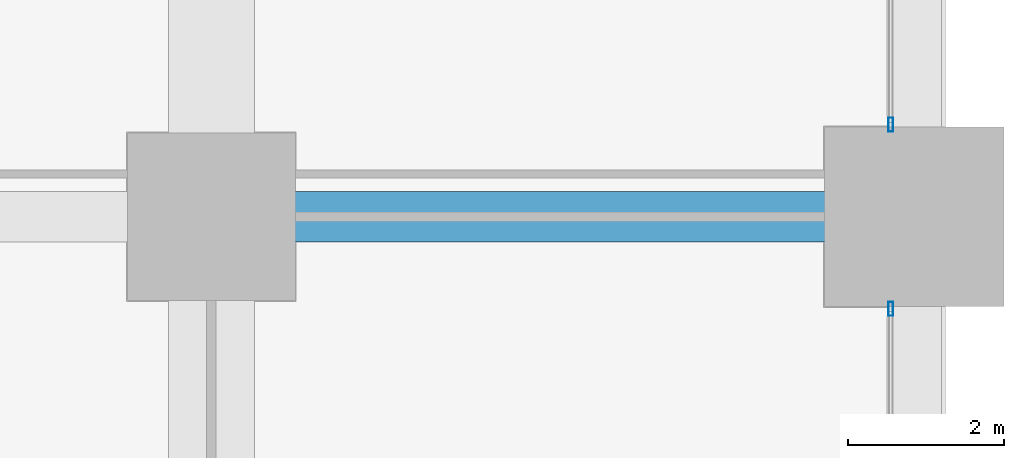
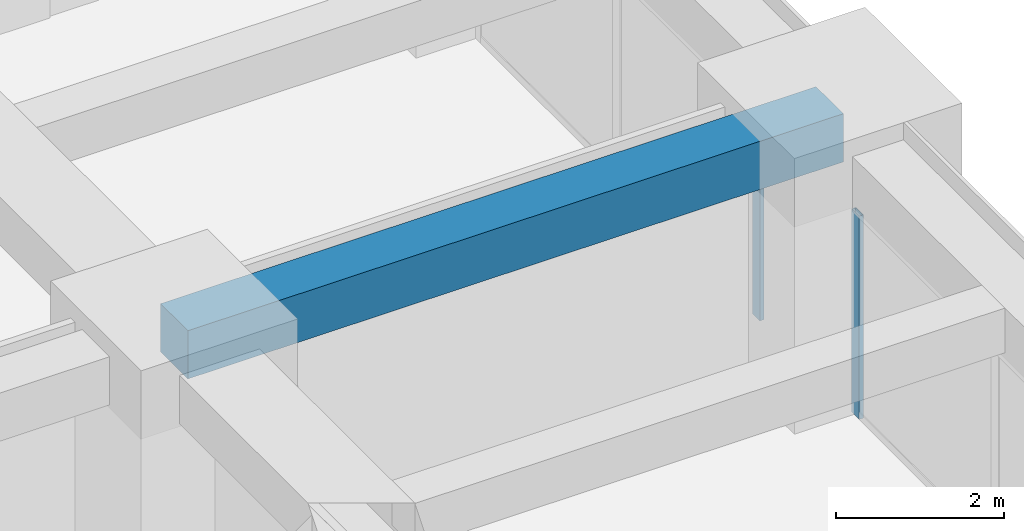
# One storey, part 32 of 44: 2 members, 1 beam, 2 elements without a shape of their own.
"""IFC4 building model written with IfcOpenShell, lengths in metres."""

from ifc_helpers import new_model, si_unit, direction, frame, origin, origin_2d, place, context, subcontext, project, spatial, rectangle, hollow_rectangle, extrude, material, material_profile, profile_set, type_object, element, aggregate, save


model = new_model("IFC4")

# Units and contexts
model_context = context("Model", 3, precision=1e-05, world=origin(), true_north=direction((0.0, 1.0)))
body_context = subcontext(model_context, "Body", "Model", "MODEL_VIEW")
ifc_project = project(units=[si_unit("LENGTHUNIT", "METRE"), si_unit("AREAUNIT", "SQUARE_METRE"), si_unit("VOLUMEUNIT", "CUBIC_METRE"), si_unit("PLANEANGLEUNIT", "RADIAN"), si_unit("MASSUNIT", "GRAM", prefix="KILO")], contexts=[model_context])

# Site, building, storey
site_placement = place(None, origin())
site = spatial("IfcSite", under=ifc_project, at=site_placement, CompositionType="ELEMENT")
building_placement = place(site_placement, origin())
building = spatial("IfcBuilding", under=site, at=building_placement, Name="Zorevar Civic Tower", CompositionType="ELEMENT")
storey_placement = place(building_placement, frame((0.0, 0.0, 59.800048828125)))
storey = spatial("IfcBuildingStorey", under=building, at=storey_placement, Name="L14", CompositionType="ELEMENT", Elevation=59.800048828125)

# Beam
ifc_material_1 = material(Name="Concrete C50/60", Category="concrete")
ifc_material_profile_1 = material_profile(ifc_material_1, rectangle(XDim=0.64990234375, YDim=0.699951171875, at=origin_2d()), Name="RC 650x700")
ifc_profile_set_1 = profile_set([ifc_material_profile_1], Name="Concrete C50/60")
beam_type = type_object("IfcBeamType", Name="Beam RC 650x700", PredefinedType="BEAM", material=ifc_profile_set_1)
beam_placement = place(storey_placement, frame((54.0, 36.0, 3.39990234375), z_axis=(1.0, 0.0, 0.0), x_axis=(0.0, 1.0, 0.0)))
element("IfcBeam", 1, at=beam_placement, inside=storey, type_object=beam_type, Name="Girder L15", PredefinedType="BEAM", context=body_context, shape_type="SweptSolid", body=[
    extrude(rectangle(XDim=0.64990234375, YDim=0.699951171875, at=origin_2d()), origin(), (0.0, 0.0, 1.0), 9.0),
])

# Curtain wall, member
ifc_material_2 = material(Name="Dark grey solar-control glass in black aluminium frame", Category="aluminium")
curtain_wall_type = type_object("IfcCurtainWallType", Name="Curtain wall CW2 low zone", PredefinedType="NOTDEFINED", material=ifc_material_2)
curtain_wall_1_placement = place(storey_placement, origin())
curtain_wall_1 = element("IfcCurtainWall", 2, at=curtain_wall_1_placement, inside=storey, type_object=curtain_wall_type, Name="CW2 L14", PredefinedType="NOTDEFINED")
ifc_material_3 = material(Name="Aluminium, black anodised", Category="aluminium")
ifc_material_profile_2 = material_profile(ifc_material_3, hollow_rectangle(XDim=0.06005859375, YDim=0.179931640625, WallThickness=0.00390625, at=origin_2d()), Name="AL 180x60x4")
ifc_profile_set_2 = profile_set([ifc_material_profile_2], Name="Aluminium, black anodised")
member_type = type_object("IfcMemberType", Name="CW2 mullion AL 180x60x4", PredefinedType="MULLION", material=ifc_profile_set_2)
member_1_placement = place(storey_placement, frame((62.699951171875, 34.820068359375, 0.0), z_axis=(0.0, 0.0, 1.0), x_axis=(-1.0, 0.0, 0.0)))
member_1 = element("IfcMember", 3, at=member_1_placement, type_object=member_type, Name="CW2 mullion 3", PredefinedType="MULLION", context=body_context, shape_type="SweptSolid", body=[
    extrude(hollow_rectangle(XDim=0.06005859375, YDim=0.179931640625, WallThickness=0.00390625, at=origin_2d()), origin(), (0.0, 0.0, 1.0), 2.949951171875),
])
aggregate(curtain_wall_1, [member_1])

curtain_wall_2_placement = place(storey_placement, origin())
curtain_wall_2 = element("IfcCurtainWall", 4, at=curtain_wall_2_placement, inside=storey, type_object=curtain_wall_type, Name="CW2 L14", PredefinedType="NOTDEFINED")
member_2_placement = place(storey_placement, frame((62.699951171875, 37.179931640625, 0.0), z_axis=(0.0, 0.0, 1.0), x_axis=(-1.0, 0.0, 0.0)))
member_2 = element("IfcMember", 5, at=member_2_placement, type_object=member_type, Name="CW2 mullion 1", PredefinedType="MULLION", context=body_context, shape_type="SweptSolid", body=[
    extrude(hollow_rectangle(XDim=0.06005859375, YDim=0.179931640625, WallThickness=0.00390625, at=origin_2d()), origin(), (0.0, 0.0, 1.0), 2.949951171875),
])
aggregate(curtain_wall_2, [member_2])

save(model, "model.ifc")
